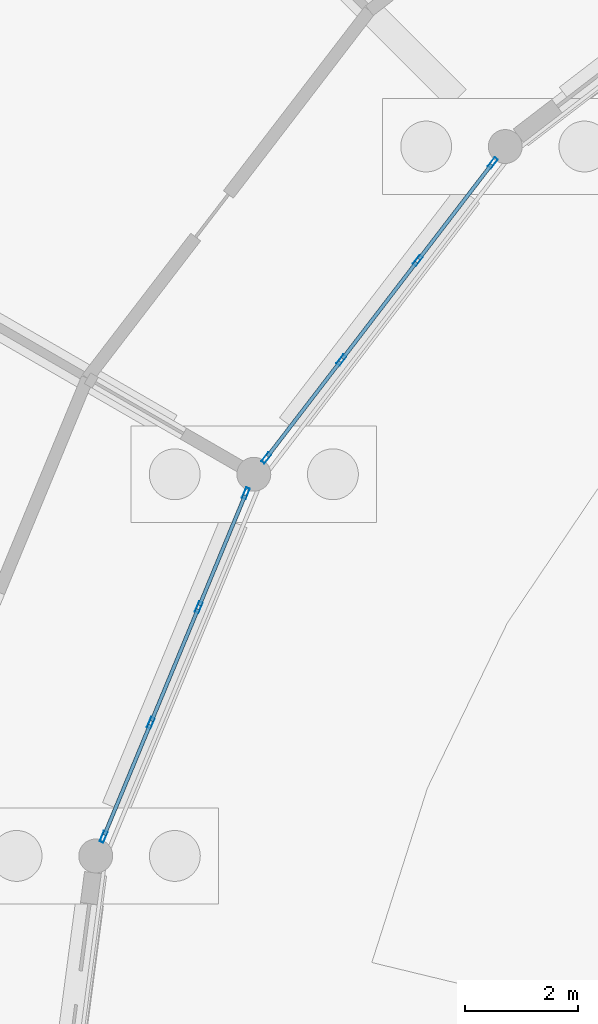
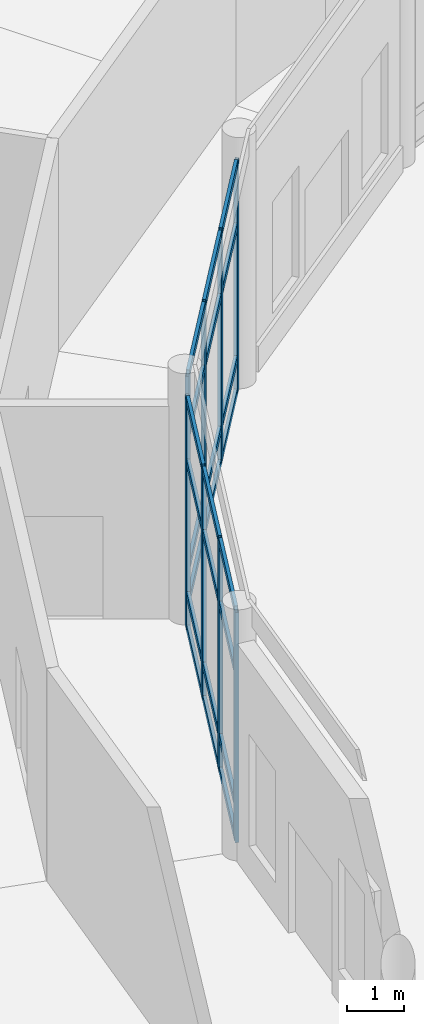
# One storey, part 54 of 137: 32 members, 2 elements without a shape of their own.
"""IFC4 building model written with IfcOpenShell, lengths in metres."""

from ifc_helpers import new_model, si_unit, direction, frame, origin, origin_2d, place, context, subcontext, project, spatial, hollow_rectangle, extrude, material, material_profile, profile_set, type_object, element, aggregate, save


model = new_model("IFC4")

# Units and contexts
model_context = context("Model", 3, precision=1e-05, world=origin(), true_north=direction((0.0, 1.0)))
body_context = subcontext(model_context, "Body", "Model", "MODEL_VIEW")
ifc_project = project(units=[si_unit("LENGTHUNIT", "METRE"), si_unit("AREAUNIT", "SQUARE_METRE"), si_unit("VOLUMEUNIT", "CUBIC_METRE"), si_unit("PLANEANGLEUNIT", "RADIAN"), si_unit("MASSUNIT", "GRAM", prefix="KILO")], contexts=[model_context])

# Site, building, storey
site_placement = place(None, origin())
site = spatial("IfcSite", under=ifc_project, at=site_placement, CompositionType="ELEMENT")
building_placement = place(site_placement, origin())
building = spatial("IfcBuilding", under=site, at=building_placement, Name="Vondelvale Polytechnic", CompositionType="ELEMENT")
storey_placement = place(building_placement, origin())
storey = spatial("IfcBuildingStorey", under=building, at=storey_placement, Name="L00", CompositionType="ELEMENT", Elevation=0.0)

# Curtain wall, members
ifc_material = material(Name="Anodised extruded aluminium 6063-T6", Category="aluminium")
curtain_wall_type = type_object("IfcCurtainWallType", Name="CW-RING-CLOISTER", PredefinedType="NOTDEFINED", material=ifc_material)
curtain_wall_1_placement = place(storey_placement, origin())
curtain_wall_1 = element("IfcCurtainWall", 1, at=curtain_wall_1_placement, inside=storey, type_object=curtain_wall_type, Name="L00 architectural curtain wall CW-03-210", PredefinedType="NOTDEFINED")
ifc_material_profile_1 = material_profile(ifc_material, hollow_rectangle(XDim=0.070068359375, YDim=0.199951171875, WallThickness=0.00390625, at=origin_2d()), Name="CW-MUL-200x70")
ifc_profile_set_1 = profile_set([ifc_material_profile_1], Name="Anodised extruded aluminium 6063-T6")
member_type_1 = type_object("IfcMemberType", Name="CW-MUL-70x200", PredefinedType="MULLION", material=ifc_profile_set_1)
member_1_placement = place(storey_placement, frame((81.9794921875, 91.510498046875, 0.0), z_axis=(0.0, 0.0, 1.0), x_axis=(0.793363861089, -0.608747717793, 0.0)))
member_1 = element("IfcMember", 2, at=member_1_placement, type_object=member_type_1, Name="CW-03-210 mullion 1", PredefinedType="MULLION", context=body_context, shape_type="SweptSolid", body=[
    extrude(hollow_rectangle(XDim=0.070068359375, YDim=0.199951171875, WallThickness=0.00390625, at=origin_2d()), origin(), (0.0, 0.0, 1.0), 4.949951171875),
])
member_2_placement = place(storey_placement, frame((80.651123046875, 89.779052734375, 0.0), z_axis=(0.0, 0.0, 1.0), x_axis=(0.793363861089, -0.608747717793, 0.0)))
member_2 = element("IfcMember", 3, at=member_2_placement, type_object=member_type_1, Name="CW-03-210 mullion 2", PredefinedType="MULLION", context=body_context, shape_type="SweptSolid", body=[
    extrude(hollow_rectangle(XDim=0.070068359375, YDim=0.199951171875, WallThickness=0.00390625, at=origin_2d()), origin(), (0.0, 0.0, 1.0), 4.949951171875),
])
member_3_placement = place(storey_placement, frame((79.30126953125, 88.02001953125, 0.0), z_axis=(0.0, 0.0, 1.0), x_axis=(0.793363861089, -0.608747717793, 0.0)))
member_3 = element("IfcMember", 4, at=member_3_placement, type_object=member_type_1, Name="CW-03-210 mullion 3", PredefinedType="MULLION", context=body_context, shape_type="SweptSolid", body=[
    extrude(hollow_rectangle(XDim=0.070068359375, YDim=0.199951171875, WallThickness=0.00390625, at=origin_2d()), origin(), (0.0, 0.0, 1.0), 4.949951171875),
])
member_4_placement = place(storey_placement, frame((77.97265625, 86.28857421875, 0.0), z_axis=(0.0, 0.0, 1.0), x_axis=(0.793363861089, -0.608747717793, 0.0)))
member_4 = element("IfcMember", 5, at=member_4_placement, type_object=member_type_1, Name="CW-03-210 mullion 4", PredefinedType="MULLION", context=body_context, shape_type="SweptSolid", body=[
    extrude(hollow_rectangle(XDim=0.070068359375, YDim=0.199951171875, WallThickness=0.00390625, at=origin_2d()), origin(), (0.0, 0.0, 1.0), 4.949951171875),
])

curtain_wall_2_placement = place(storey_placement, origin())
curtain_wall_2 = element("IfcCurtainWall", 6, at=curtain_wall_2_placement, inside=storey, type_object=curtain_wall_type, Name="L00 architectural curtain wall CW-03-225", PredefinedType="NOTDEFINED")
member_5_placement = place(storey_placement, frame((77.611572265625, 85.662841796875, 0.0), z_axis=(0.0, 0.0, 1.0), x_axis=(0.923881562419, -0.382678531697, 0.0)))
member_5 = element("IfcMember", 7, at=member_5_placement, type_object=member_type_1, Name="CW-03-225 mullion 1", PredefinedType="MULLION", context=body_context, shape_type="SweptSolid", body=[
    extrude(hollow_rectangle(XDim=0.070068359375, YDim=0.199951171875, WallThickness=0.00390625, at=origin_2d()), origin(), (0.0, 0.0, 1.0), 4.949951171875),
])
member_6_placement = place(storey_placement, frame((76.77685546875, 83.647216796875, 0.0), z_axis=(0.0, 0.0, 1.0), x_axis=(0.923881562419, -0.382678531697, 0.0)))
member_6 = element("IfcMember", 8, at=member_6_placement, type_object=member_type_1, Name="CW-03-225 mullion 2", PredefinedType="MULLION", context=body_context, shape_type="SweptSolid", body=[
    extrude(hollow_rectangle(XDim=0.070068359375, YDim=0.199951171875, WallThickness=0.00390625, at=origin_2d()), origin(), (0.0, 0.0, 1.0), 4.949951171875),
])
member_7_placement = place(storey_placement, frame((75.9287109375, 81.599609375, 0.0), z_axis=(0.0, 0.0, 1.0), x_axis=(0.923881562419, -0.382678531697, 0.0)))
member_7 = element("IfcMember", 9, at=member_7_placement, type_object=member_type_1, Name="CW-03-225 mullion 3", PredefinedType="MULLION", context=body_context, shape_type="SweptSolid", body=[
    extrude(hollow_rectangle(XDim=0.070068359375, YDim=0.199951171875, WallThickness=0.00390625, at=origin_2d()), origin(), (0.0, 0.0, 1.0), 4.949951171875),
])
member_8_placement = place(storey_placement, frame((75.09375, 79.584228515625, 0.0), z_axis=(0.0, 0.0, 1.0), x_axis=(0.923881562419, -0.382678531697, 0.0)))
member_8 = element("IfcMember", 10, at=member_8_placement, type_object=member_type_1, Name="CW-03-225 mullion 4", PredefinedType="MULLION", context=body_context, shape_type="SweptSolid", body=[
    extrude(hollow_rectangle(XDim=0.070068359375, YDim=0.199951171875, WallThickness=0.00390625, at=origin_2d()), origin(), (0.0, 0.0, 1.0), 4.949951171875),
])

# Member
ifc_material_profile_2 = material_profile(ifc_material, hollow_rectangle(XDim=0.06494140625, YDim=0.159912109375, WallThickness=0.00341796875, at=origin_2d()), Name="CW-TRN-160x65")
ifc_profile_set_2 = profile_set([ifc_material_profile_2], Name="Anodised extruded aluminium 6063-T6")
member_type_2 = type_object("IfcMemberType", Name="CW-TRN-70x160", PredefinedType="USERDEFINED", material=ifc_profile_set_2)
member_9_placement = place(storey_placement, frame((81.958251953125, 91.482666015625, 0.032470703125), z_axis=(-0.608766343448, -0.793349569285, 0.0), x_axis=(0.793349569285, -0.608766343448, 0.0)))
member_9 = element("IfcMember", 11, at=member_9_placement, type_object=member_type_2, Name="CW-03-210 transom 1.1", ObjectType="TRANSOM", PredefinedType="USERDEFINED", context=body_context, shape_type="SweptSolid", body=[
    extrude(hollow_rectangle(XDim=0.06494140625, YDim=0.159912109375, WallThickness=0.00341796875, at=origin_2d()), origin(), (0.0, 0.0, 1.0), 2.1123046875),
])

member_10_placement = place(storey_placement, frame((81.958251953125, 91.482666015625, 0.75), z_axis=(-0.608766343448, -0.793349569285, 0.0), x_axis=(0.793349569285, -0.608766343448, 0.0)))
member_10 = element("IfcMember", 12, at=member_10_placement, type_object=member_type_2, Name="CW-03-210 transom 1.2", ObjectType="TRANSOM", PredefinedType="USERDEFINED", context=body_context, shape_type="SweptSolid", body=[
    extrude(hollow_rectangle(XDim=0.06494140625, YDim=0.159912109375, WallThickness=0.00341796875, at=origin_2d()), origin(), (0.0, 0.0, 1.0), 2.1123046875),
])

member_11_placement = place(storey_placement, frame((81.958251953125, 91.482666015625, 3.60009765625), z_axis=(-0.608766343448, -0.793349569285, 0.0), x_axis=(0.793349569285, -0.608766343448, 0.0)))
member_11 = element("IfcMember", 13, at=member_11_placement, type_object=member_type_2, Name="CW-03-210 transom 1.3", ObjectType="TRANSOM", PredefinedType="USERDEFINED", context=body_context, shape_type="SweptSolid", body=[
    extrude(hollow_rectangle(XDim=0.06494140625, YDim=0.159912109375, WallThickness=0.00341796875, at=origin_2d()), origin(), (0.0, 0.0, 1.0), 2.1123046875),
])

member_12_placement = place(storey_placement, frame((81.958251953125, 91.482666015625, 4.91748046875), z_axis=(-0.608766343448, -0.793349569285, 0.0), x_axis=(0.793349569285, -0.608766343448, 0.0)))
member_12 = element("IfcMember", 14, at=member_12_placement, type_object=member_type_2, Name="CW-03-210 transom 1.4", ObjectType="TRANSOM", PredefinedType="USERDEFINED", context=body_context, shape_type="SweptSolid", body=[
    extrude(hollow_rectangle(XDim=0.06494140625, YDim=0.159912109375, WallThickness=0.00341796875, at=origin_2d()), origin(), (0.0, 0.0, 1.0), 2.1123046875),
])

member_13_placement = place(storey_placement, frame((80.629638671875, 89.751220703125, 0.032470703125), z_axis=(-0.608732251269, -0.793375728306, 0.0), x_axis=(0.793375728306, -0.608732251269, 0.0)))
member_13 = element("IfcMember", 15, at=member_13_placement, type_object=member_type_2, Name="CW-03-210 transom 2.1", ObjectType="TRANSOM", PredefinedType="USERDEFINED", context=body_context, shape_type="SweptSolid", body=[
    extrude(hollow_rectangle(XDim=0.06494140625, YDim=0.159912109375, WallThickness=0.00341796875, at=origin_2d()), origin(), (0.0, 0.0, 1.0), 2.147216796875),
])

member_14_placement = place(storey_placement, frame((80.629638671875, 89.751220703125, 0.75), z_axis=(-0.608732251269, -0.793375728306, 0.0), x_axis=(0.793375728306, -0.608732251269, 0.0)))
member_14 = element("IfcMember", 16, at=member_14_placement, type_object=member_type_2, Name="CW-03-210 transom 2.2", ObjectType="TRANSOM", PredefinedType="USERDEFINED", context=body_context, shape_type="SweptSolid", body=[
    extrude(hollow_rectangle(XDim=0.06494140625, YDim=0.159912109375, WallThickness=0.00341796875, at=origin_2d()), origin(), (0.0, 0.0, 1.0), 2.147216796875),
])

member_15_placement = place(storey_placement, frame((80.629638671875, 89.751220703125, 3.60009765625), z_axis=(-0.608732251269, -0.793375728306, 0.0), x_axis=(0.793375728306, -0.608732251269, 0.0)))
member_15 = element("IfcMember", 17, at=member_15_placement, type_object=member_type_2, Name="CW-03-210 transom 2.3", ObjectType="TRANSOM", PredefinedType="USERDEFINED", context=body_context, shape_type="SweptSolid", body=[
    extrude(hollow_rectangle(XDim=0.06494140625, YDim=0.159912109375, WallThickness=0.00341796875, at=origin_2d()), origin(), (0.0, 0.0, 1.0), 2.147216796875),
])

member_16_placement = place(storey_placement, frame((80.629638671875, 89.751220703125, 4.91748046875), z_axis=(-0.608732251269, -0.793375728306, 0.0), x_axis=(0.793375728306, -0.608732251269, 0.0)))
member_16 = element("IfcMember", 18, at=member_16_placement, type_object=member_type_2, Name="CW-03-210 transom 2.4", ObjectType="TRANSOM", PredefinedType="USERDEFINED", context=body_context, shape_type="SweptSolid", body=[
    extrude(hollow_rectangle(XDim=0.06494140625, YDim=0.159912109375, WallThickness=0.00341796875, at=origin_2d()), origin(), (0.0, 0.0, 1.0), 2.147216796875),
])

member_17_placement = place(storey_placement, frame((79.280029296875, 87.9921875, 0.032470703125), z_axis=(-0.608783266169, -0.793336583571, 0.0), x_axis=(0.793336583571, -0.608783266169, 0.0)))
member_17 = element("IfcMember", 19, at=member_17_placement, type_object=member_type_2, Name="CW-03-210 transom 3.1", ObjectType="TRANSOM", PredefinedType="USERDEFINED", context=body_context, shape_type="SweptSolid", body=[
    extrude(hollow_rectangle(XDim=0.06494140625, YDim=0.159912109375, WallThickness=0.00341796875, at=origin_2d()), origin(), (0.0, 0.0, 1.0), 2.112548828125),
])

member_18_placement = place(storey_placement, frame((79.280029296875, 87.9921875, 0.75), z_axis=(-0.608783266169, -0.793336583571, 0.0), x_axis=(0.793336583571, -0.608783266169, 0.0)))
member_18 = element("IfcMember", 20, at=member_18_placement, type_object=member_type_2, Name="CW-03-210 transom 3.2", ObjectType="TRANSOM", PredefinedType="USERDEFINED", context=body_context, shape_type="SweptSolid", body=[
    extrude(hollow_rectangle(XDim=0.06494140625, YDim=0.159912109375, WallThickness=0.00341796875, at=origin_2d()), origin(), (0.0, 0.0, 1.0), 2.112548828125),
])

member_19_placement = place(storey_placement, frame((79.280029296875, 87.9921875, 3.60009765625), z_axis=(-0.608783266169, -0.793336583571, 0.0), x_axis=(0.793336583571, -0.608783266169, 0.0)))
member_19 = element("IfcMember", 21, at=member_19_placement, type_object=member_type_2, Name="CW-03-210 transom 3.3", ObjectType="TRANSOM", PredefinedType="USERDEFINED", context=body_context, shape_type="SweptSolid", body=[
    extrude(hollow_rectangle(XDim=0.06494140625, YDim=0.159912109375, WallThickness=0.00341796875, at=origin_2d()), origin(), (0.0, 0.0, 1.0), 2.112548828125),
])

member_20_placement = place(storey_placement, frame((79.280029296875, 87.9921875, 4.91748046875), z_axis=(-0.608783266169, -0.793336583571, 0.0), x_axis=(0.793336583571, -0.608783266169, 0.0)))
member_20 = element("IfcMember", 22, at=member_20_placement, type_object=member_type_2, Name="CW-03-210 transom 3.4", ObjectType="TRANSOM", PredefinedType="USERDEFINED", context=body_context, shape_type="SweptSolid", body=[
    extrude(hollow_rectangle(XDim=0.06494140625, YDim=0.159912109375, WallThickness=0.00341796875, at=origin_2d()), origin(), (0.0, 0.0, 1.0), 2.112548828125),
])

aggregate(curtain_wall_1, [member_1, member_2, member_3, member_4, member_9, member_10, member_11, member_12, member_13, member_14, member_15, member_16, member_17, member_18, member_19, member_20])

member_21_placement = place(storey_placement, frame((77.59814453125, 85.63037109375, 0.032470703125), z_axis=(-0.382627532503, -0.923902685011, 0.0), x_axis=(0.923902685011, -0.382627532503, 0.0)))
member_21 = element("IfcMember", 23, at=member_21_placement, type_object=member_type_2, Name="CW-03-225 transom 1.1", ObjectType="TRANSOM", PredefinedType="USERDEFINED", context=body_context, shape_type="SweptSolid", body=[
    extrude(hollow_rectangle(XDim=0.06494140625, YDim=0.159912109375, WallThickness=0.00341796875, at=origin_2d()), origin(), (0.0, 0.0, 1.0), 2.111328125),
])

member_22_placement = place(storey_placement, frame((77.59814453125, 85.63037109375, 0.75), z_axis=(-0.382627532503, -0.923902685011, 0.0), x_axis=(0.923902685011, -0.382627532503, 0.0)))
member_22 = element("IfcMember", 24, at=member_22_placement, type_object=member_type_2, Name="CW-03-225 transom 1.2", ObjectType="TRANSOM", PredefinedType="USERDEFINED", context=body_context, shape_type="SweptSolid", body=[
    extrude(hollow_rectangle(XDim=0.06494140625, YDim=0.159912109375, WallThickness=0.00341796875, at=origin_2d()), origin(), (0.0, 0.0, 1.0), 2.111328125),
])

member_23_placement = place(storey_placement, frame((77.59814453125, 85.63037109375, 3.60009765625), z_axis=(-0.382627532503, -0.923902685011, 0.0), x_axis=(0.923902685011, -0.382627532503, 0.0)))
member_23 = element("IfcMember", 25, at=member_23_placement, type_object=member_type_2, Name="CW-03-225 transom 1.3", ObjectType="TRANSOM", PredefinedType="USERDEFINED", context=body_context, shape_type="SweptSolid", body=[
    extrude(hollow_rectangle(XDim=0.06494140625, YDim=0.159912109375, WallThickness=0.00341796875, at=origin_2d()), origin(), (0.0, 0.0, 1.0), 2.111328125),
])

member_24_placement = place(storey_placement, frame((77.59814453125, 85.63037109375, 4.91748046875), z_axis=(-0.382627532503, -0.923902685011, 0.0), x_axis=(0.923902685011, -0.382627532503, 0.0)))
member_24 = element("IfcMember", 26, at=member_24_placement, type_object=member_type_2, Name="CW-03-225 transom 1.4", ObjectType="TRANSOM", PredefinedType="USERDEFINED", context=body_context, shape_type="SweptSolid", body=[
    extrude(hollow_rectangle(XDim=0.06494140625, YDim=0.159912109375, WallThickness=0.00341796875, at=origin_2d()), origin(), (0.0, 0.0, 1.0), 2.111328125),
])

member_25_placement = place(storey_placement, frame((76.763427734375, 83.614990234375, 0.032470703125), z_axis=(-0.382716752649, -0.923865730094, 0.0), x_axis=(0.923865730094, -0.382716752649, 0.0)))
member_25 = element("IfcMember", 27, at=member_25_placement, type_object=member_type_2, Name="CW-03-225 transom 2.1", ObjectType="TRANSOM", PredefinedType="USERDEFINED", context=body_context, shape_type="SweptSolid", body=[
    extrude(hollow_rectangle(XDim=0.06494140625, YDim=0.159912109375, WallThickness=0.00341796875, at=origin_2d()), origin(), (0.0, 0.0, 1.0), 2.146484375),
])

member_26_placement = place(storey_placement, frame((76.763427734375, 83.614990234375, 0.75), z_axis=(-0.382716752649, -0.923865730094, 0.0), x_axis=(0.923865730094, -0.382716752649, 0.0)))
member_26 = element("IfcMember", 28, at=member_26_placement, type_object=member_type_2, Name="CW-03-225 transom 2.2", ObjectType="TRANSOM", PredefinedType="USERDEFINED", context=body_context, shape_type="SweptSolid", body=[
    extrude(hollow_rectangle(XDim=0.06494140625, YDim=0.159912109375, WallThickness=0.00341796875, at=origin_2d()), origin(), (0.0, 0.0, 1.0), 2.146484375),
])

member_27_placement = place(storey_placement, frame((76.763427734375, 83.614990234375, 3.60009765625), z_axis=(-0.382716752649, -0.923865730094, 0.0), x_axis=(0.923865730094, -0.382716752649, 0.0)))
member_27 = element("IfcMember", 29, at=member_27_placement, type_object=member_type_2, Name="CW-03-225 transom 2.3", ObjectType="TRANSOM", PredefinedType="USERDEFINED", context=body_context, shape_type="SweptSolid", body=[
    extrude(hollow_rectangle(XDim=0.06494140625, YDim=0.159912109375, WallThickness=0.00341796875, at=origin_2d()), origin(), (0.0, 0.0, 1.0), 2.146484375),
])

member_28_placement = place(storey_placement, frame((76.763427734375, 83.614990234375, 4.91748046875), z_axis=(-0.382716752649, -0.923865730094, 0.0), x_axis=(0.923865730094, -0.382716752649, 0.0)))
member_28 = element("IfcMember", 30, at=member_28_placement, type_object=member_type_2, Name="CW-03-225 transom 2.4", ObjectType="TRANSOM", PredefinedType="USERDEFINED", context=body_context, shape_type="SweptSolid", body=[
    extrude(hollow_rectangle(XDim=0.06494140625, YDim=0.159912109375, WallThickness=0.00341796875, at=origin_2d()), origin(), (0.0, 0.0, 1.0), 2.146484375),
])

member_29_placement = place(storey_placement, frame((75.915283203125, 81.567138671875, 0.032470703125), z_axis=(-0.382726229306, -0.923861804277, 0.0), x_axis=(0.923861804277, -0.382726229306, 0.0)))
member_29 = element("IfcMember", 31, at=member_29_placement, type_object=member_type_2, Name="CW-03-225 transom 3.1", ObjectType="TRANSOM", PredefinedType="USERDEFINED", context=body_context, shape_type="SweptSolid", body=[
    extrude(hollow_rectangle(XDim=0.06494140625, YDim=0.159912109375, WallThickness=0.00341796875, at=origin_2d()), origin(), (0.0, 0.0, 1.0), 2.111328125),
])

member_30_placement = place(storey_placement, frame((75.915283203125, 81.567138671875, 0.75), z_axis=(-0.382726229306, -0.923861804277, 0.0), x_axis=(0.923861804277, -0.382726229306, 0.0)))
member_30 = element("IfcMember", 32, at=member_30_placement, type_object=member_type_2, Name="CW-03-225 transom 3.2", ObjectType="TRANSOM", PredefinedType="USERDEFINED", context=body_context, shape_type="SweptSolid", body=[
    extrude(hollow_rectangle(XDim=0.06494140625, YDim=0.159912109375, WallThickness=0.00341796875, at=origin_2d()), origin(), (0.0, 0.0, 1.0), 2.111328125),
])

member_31_placement = place(storey_placement, frame((75.915283203125, 81.567138671875, 3.60009765625), z_axis=(-0.382726229306, -0.923861804277, 0.0), x_axis=(0.923861804277, -0.382726229306, 0.0)))
member_31 = element("IfcMember", 33, at=member_31_placement, type_object=member_type_2, Name="CW-03-225 transom 3.3", ObjectType="TRANSOM", PredefinedType="USERDEFINED", context=body_context, shape_type="SweptSolid", body=[
    extrude(hollow_rectangle(XDim=0.06494140625, YDim=0.159912109375, WallThickness=0.00341796875, at=origin_2d()), origin(), (0.0, 0.0, 1.0), 2.111328125),
])

member_32_placement = place(storey_placement, frame((75.915283203125, 81.567138671875, 4.91748046875), z_axis=(-0.382726229306, -0.923861804277, 0.0), x_axis=(0.923861804277, -0.382726229306, 0.0)))
member_32 = element("IfcMember", 34, at=member_32_placement, type_object=member_type_2, Name="CW-03-225 transom 3.4", ObjectType="TRANSOM", PredefinedType="USERDEFINED", context=body_context, shape_type="SweptSolid", body=[
    extrude(hollow_rectangle(XDim=0.06494140625, YDim=0.159912109375, WallThickness=0.00341796875, at=origin_2d()), origin(), (0.0, 0.0, 1.0), 2.111328125),
])

aggregate(curtain_wall_2, [member_5, member_6, member_7, member_8, member_21, member_22, member_23, member_24, member_25, member_26, member_27, member_28, member_29, member_30, member_31, member_32])

save(model, "model.ifc")
